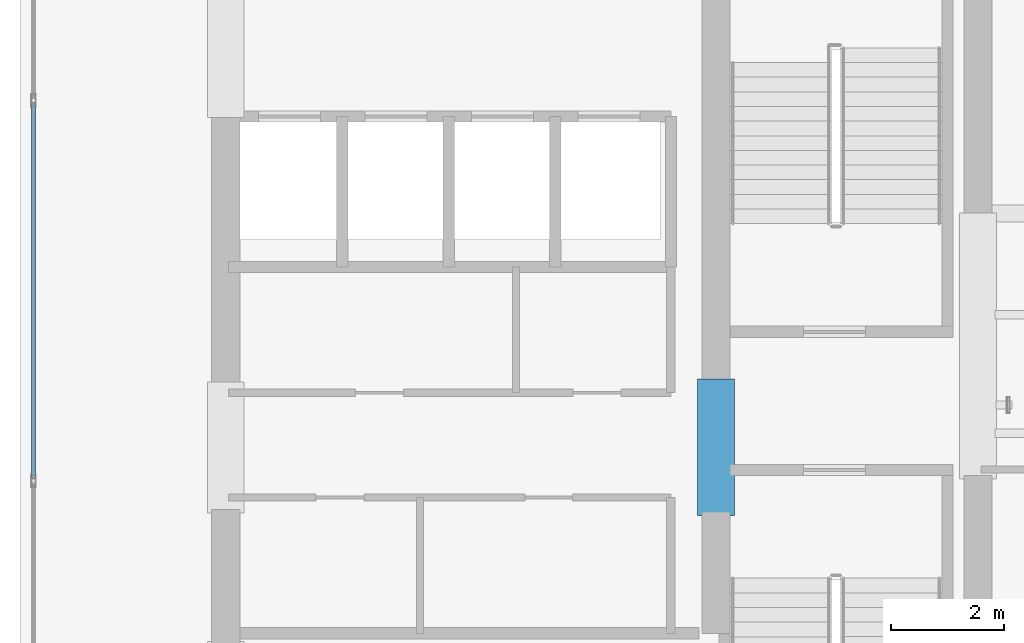
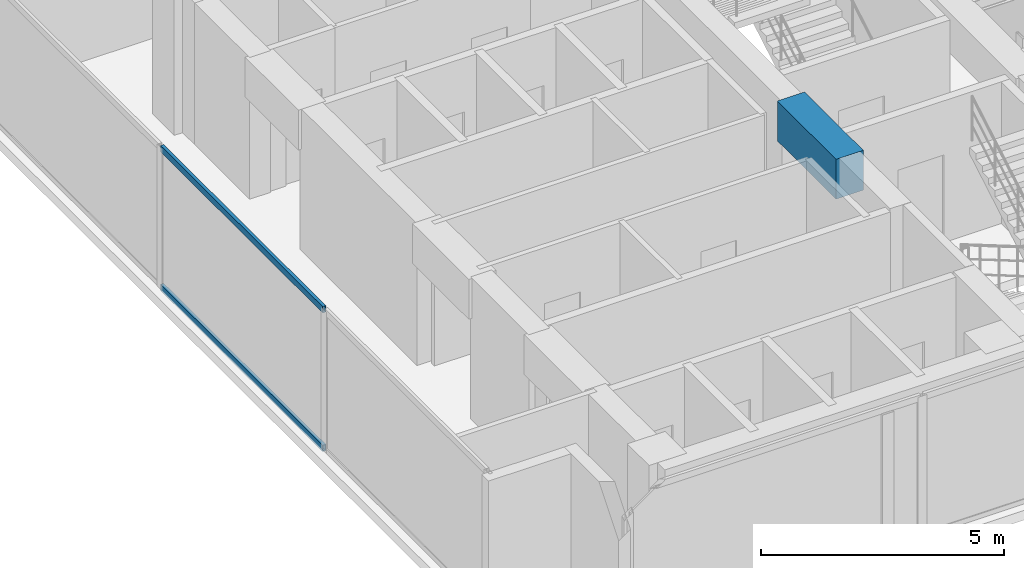
# One storey, part 3 of 23: 2 members, 1 beam, 1 element without a shape of its own.
"""IFC4 building model written with IfcOpenShell, lengths in metres."""

from ifc_helpers import new_model, si_unit, direction, frame, origin, origin_with_axes, origin_2d, place, context, subcontext, project, spatial, rectangle, hollow_rectangle, extrude, source, transform, mapped, material, layer, layer_set, material_profile, profile_set, type_object, element, aggregate, save


model = new_model("IFC4")

# Units and contexts
model_context = context("Model", 3, precision=1e-05, world=origin(), true_north=direction((0.0, 1.0)))
body_context = subcontext(model_context, "Body", "Model", "MODEL_VIEW")
ifc_project = project(units=[si_unit("LENGTHUNIT", "METRE"), si_unit("AREAUNIT", "SQUARE_METRE"), si_unit("VOLUMEUNIT", "CUBIC_METRE"), si_unit("PLANEANGLEUNIT", "RADIAN"), si_unit("MASSUNIT", "GRAM", prefix="KILO")], contexts=[model_context])

# Site, building, storey
site_placement = place(None, origin())
site = spatial("IfcSite", under=ifc_project, at=site_placement, CompositionType="ELEMENT")
building_placement = place(site_placement, origin())
building = spatial("IfcBuilding", under=site, at=building_placement, Name="Kolvaren Waterfront Exchange", CompositionType="ELEMENT")
storey_placement = place(building_placement, frame((0.0, 0.0, 270.39990234375)))
storey = spatial("IfcBuildingStorey", under=building, at=storey_placement, Name="L69", CompositionType="ELEMENT", Elevation=270.39990234375)

# Beam
ifc_material_1 = material(Name="Concrete C60/75", Category="concrete")
ifc_material_profile_1 = material_profile(ifc_material_1, rectangle(XDim=0.64990234375, YDim=1.0, at=origin_2d()), Name="RC-CB-1000x650")
ifc_profile_set_1 = profile_set([ifc_material_profile_1], Name="Concrete C60/75")
beam_type = type_object("IfcBeamType", Name="STR-CB-1000", PredefinedType="SPANDREL", material=ifc_profile_set_1)
beam_placement = place(storey_placement, frame((16.14990234375, 12.0400390625, 3.06005859375), z_axis=(0.0, 1.0, 0.0), x_axis=(-1.0, 0.0, 0.0)))
element("IfcBeam", 1, at=beam_placement, inside=storey, type_object=beam_type, Name="L69 core coupling beam 6", PredefinedType="SPANDREL", context=body_context, shape_type="SweptSolid", body=[
    extrude(rectangle(XDim=0.64990234375, YDim=1.0, at=origin_2d()), origin(), (0.0, 0.0, 1.0), 2.419921875),
])

# Curtain wall, members
ifc_material_2 = material(Name="Anodised aluminium 6063-T6", Category="aluminium")
ifc_layer = layer(ifc_material_2, 0.219970703125, Name="Anodised aluminium 6063-T6")
ifc_layer_set = layer_set([ifc_layer], Name="Anodised aluminium 6063-T6")
curtain_wall_type = type_object("IfcCurtainWallType", Name="ARC-CW-SYS2", PredefinedType="USERDEFINED", material=ifc_layer_set)
curtain_wall_placement = place(storey_placement, origin())
curtain_wall = element("IfcCurtainWall", 2, at=curtain_wall_placement, inside=storey, type_object=curtain_wall_type, Name="L69 stick curtain wall CW2 (CW-L69-W)", ObjectType="STICK CURTAIN WALL", PredefinedType="USERDEFINED")
ifc_material_profile_2 = material_profile(ifc_material_2, hollow_rectangle(XDim=0.074951171875, YDim=0.159912109375, WallThickness=0.00439453125, at=origin_2d()), Name="ALU-TRN-160x75x4.5")
ifc_profile_set_2 = profile_set([ifc_material_profile_2], Name="Anodised aluminium 6063-T6")
member_type = type_object("IfcMemberType", Name="ARC-CWT-160", PredefinedType="USERDEFINED", material=ifc_profile_set_2)
shared_shape = source(origin_with_axes(), body_context, "Body", "SweptSolid", [
    extrude(hollow_rectangle(XDim=0.074951171875, YDim=0.159912109375, WallThickness=0.00439453125, at=origin_2d()), origin(), (0.0, 0.0, 1.0), 6.67431640625),
])
member_1_placement = place(storey_placement, frame((4.0400390625, 12.6943359375, 0.03759765625), z_axis=(0.0, 1.0, 0.0), x_axis=(-1.0, 0.0, 0.0)))
member_1 = element("IfcMember", 3, at=member_1_placement, type_object=member_type, Name="CW2 transom 2.1", ObjectType="TRANSOM", PredefinedType="USERDEFINED", context=body_context, shape_type="MappedRepresentation", body=[
    mapped(shared_shape, transform((0.0, 0.0, 0.0), x_axis=(1.0, 0.0, 0.0), y_axis=(0.0, 1.0, 0.0), z_axis=(0.0, 0.0, 1.0), scale=1.0)),
])
member_2_placement = place(storey_placement, frame((4.0400390625, 12.6943359375, 3.522705078125), z_axis=(0.0, 1.0, 0.0), x_axis=(-1.0, 0.0, 0.0)))
member_2 = element("IfcMember", 4, at=member_2_placement, type_object=member_type, Name="CW2 transom 2.2", ObjectType="TRANSOM", PredefinedType="USERDEFINED", context=body_context, shape_type="MappedRepresentation", body=[
    mapped(shared_shape, transform((0.0, 0.0, 0.0), x_axis=(1.0, 0.0, 0.0), y_axis=(0.0, 1.0, 0.0), z_axis=(0.0, 0.0, 1.0), scale=1.0)),
])
aggregate(curtain_wall, [member_1, member_2])

save(model, "model.ifc")
